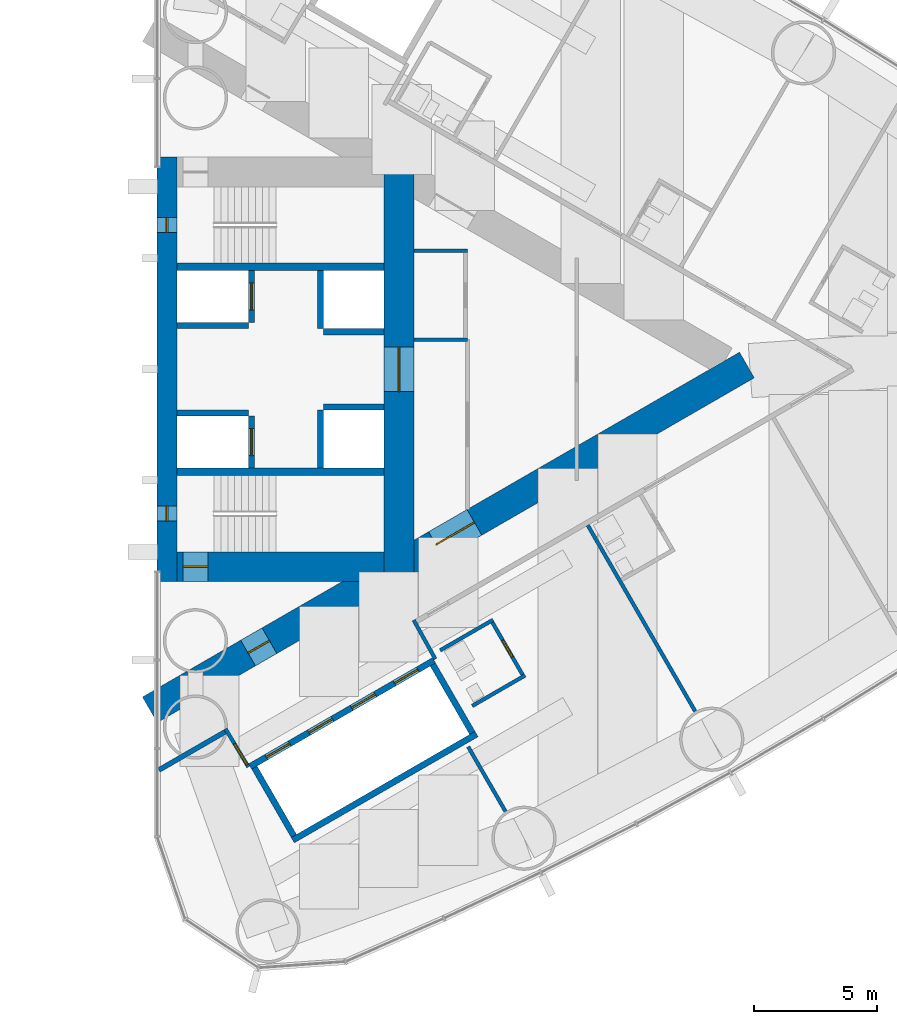
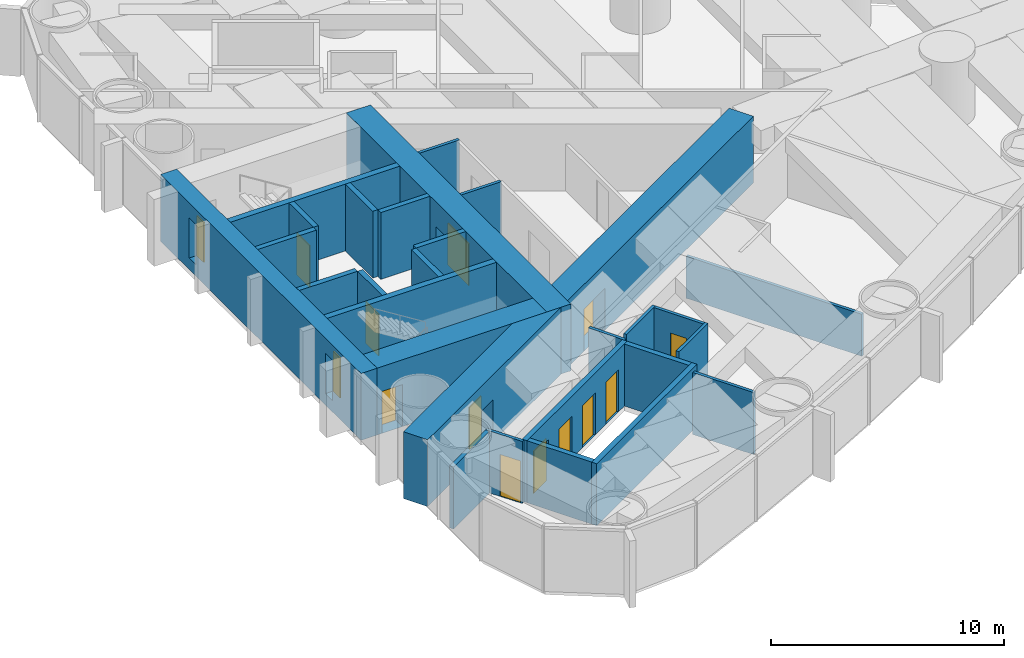
# One storey, part 13 of 18: 28 walls, 12 doors, 2 windows, 14 openings.
"""IFC4 building model written with IfcOpenShell, lengths in metres."""

from ifc_helpers import new_model, si_unit, direction, frame, frame_2d, origin, place, context, subcontext, project, spatial, rectangle, extrude, material, layer, layer_set, type_object, element, fill, save


model = new_model("IFC4")

# Units and contexts
model_context = context("Model", 3, precision=1e-05, world=origin(), true_north=direction((0.0, 1.0)))
body_context = subcontext(model_context, "Body", "Model", "MODEL_VIEW")
ifc_project = project(units=[si_unit("LENGTHUNIT", "METRE"), si_unit("AREAUNIT", "SQUARE_METRE"), si_unit("VOLUMEUNIT", "CUBIC_METRE"), si_unit("PLANEANGLEUNIT", "RADIAN"), si_unit("MASSUNIT", "GRAM", prefix="KILO")], contexts=[model_context])

# Site, building, storey
site_placement = place(None, origin())
site = spatial("IfcSite", under=ifc_project, at=site_placement, CompositionType="ELEMENT")
building_placement = place(site_placement, origin())
building = spatial("IfcBuilding", under=site, at=building_placement, Name="Lancet Gate Hotel", CompositionType="ELEMENT")
storey_placement = place(building_placement, frame((0.0, 0.0, 136.10009765625)))
storey = spatial("IfcBuildingStorey", under=building, at=storey_placement, Name="L36", CompositionType="ELEMENT", Elevation=136.10009765625)

# Wall
ifc_material_1 = material(Name="Moisture resistant board partition")
ifc_layer_1 = layer(ifc_material_1, 0.14990234375)
ifc_layer_set_1 = layer_set([ifc_layer_1], Name="Bathroom wall 150")
wall_type_1 = type_object("IfcWallType", Name="Bathroom wall 150", PredefinedType="PARTITIONING", material=ifc_layer_set_1)
wall_1_placement = place(storey_placement, frame((40.269775390625, -13.644287109375, 0.0), z_axis=(0.0, 0.0, 1.0), x_axis=(0.866031185235, 0.4999899861, 0.0)))
element("IfcWall", 1, at=wall_1_placement, inside=storey, type_object=wall_type_1, Name="T2 bathroom wall 150 L36", PredefinedType="PARTITIONING", context=body_context, shape_type="SweptSolid", body=[
    extrude(rectangle(XDim=2.47509765625, YDim=0.14990234375, at=frame_2d((1.237548828125, 0.0))), origin(), (0.0, 0.0, 1.0), 3.25),
])

# Wall, opening, door
wall_2_placement = place(storey_placement, frame((41.04833984375, -10.192626953125, 0.0), z_axis=(0.0, 0.0, 1.0), x_axis=(0.500047596559, -0.865997922154, 0.0)))
wall_2 = element("IfcWall", 2, at=wall_2_placement, inside=storey, type_object=wall_type_1, Name="T2 bathroom wall 150 L36", PredefinedType="PARTITIONING", context=body_context, shape_type="SweptSolid", body=[
    extrude(rectangle(XDim=2.599853515625, YDim=0.14990234375, at=frame_2d((1.2998046875, 0.0))), origin(), (0.0, 0.0, 1.0), 3.25),
])
opening_1_placement = place(wall_2_placement, frame((0.89990234375, 0.0, 0.0)))
opening_1 = element("IfcOpeningElement", 3, at=opening_1_placement, cuts=wall_2, Name="Opening 3653-B", PredefinedType="OPENING", context=body_context, shape_type="SweptSolid", body=[
    extrude(rectangle(XDim=0.800048828125, YDim=2.199951171875, at=frame_2d((0.39990234375, 1.10009765625))), frame((0.0, 0.0849609375, 0.0), z_axis=(0.0, -1.0, 0.0), x_axis=(1.0, 0.0, 0.0)), (0.0, 0.0, 1.0), 0.169921875),
])
ifc_material_2 = material(Name="Timber door set", Category="wood")
door_type_1 = type_object("IfcDoorType", Name="Bathroom door 800", OperationType="SINGLE_SWING_RIGHT", PredefinedType="DOOR", material=ifc_material_2)
door_1_placement = place(opening_1_placement, origin())
door_1 = element("IfcDoor", 4, at=door_1_placement, inside=storey, type_object=door_type_1, Name="3653-B", OperationType="SINGLE_SWING_RIGHT", OverallHeight=2.199951171875, OverallWidth=0.800048828125, PredefinedType="DOOR", context=body_context, shape_type="SweptSolid", body=[
    extrude(rectangle(XDim=0.800048828125, YDim=2.199951171875, at=frame_2d((0.39990234375, 1.10009765625))), frame((0.0, 0.02490234375, 0.0), z_axis=(0.0, -1.0, 0.0), x_axis=(1.0, 0.0, 0.0)), (0.0, 0.0, 1.0), 0.050048828125),
])
fill(opening_1, door_1)

# Wall
wall_3_placement = place(storey_placement, frame((38.9697265625, -11.392578125, 0.0), z_axis=(0.0, 0.0, 1.0), x_axis=(0.866031185235, 0.4999899861, 0.0)))
element("IfcWall", 5, at=wall_3_placement, inside=storey, type_object=wall_type_1, Name="T2 bathroom wall 150 L36", PredefinedType="PARTITIONING", context=body_context, shape_type="SweptSolid", body=[
    extrude(rectangle(XDim=2.47509765625, YDim=0.14990234375, at=frame_2d((1.237548828125, 0.0))), origin(), (0.0, 0.0, 1.0), 3.25),
])

# Wall, openings, doors
ifc_material_3 = material(Name="Concrete C70/85", Category="concrete")
ifc_layer_2 = layer(ifc_material_3, 1.199951171875)
ifc_layer_set_2 = layer_set([ifc_layer_2], Name="Buttress wall 1200")
wall_type_2 = type_object("IfcWallType", Name="Buttress wall 1200", PredefinedType="SHEAR", material=ifc_layer_set_2)
wall_4_placement = place(storey_placement, frame((27.199951171875, -13.800048828125, 0.0), z_axis=(0.0, 0.0, 1.0), x_axis=(0.866027159892, 0.499996958321, 0.0)))
wall_4 = element("IfcWall", 6, at=wall_4_placement, inside=storey, type_object=wall_type_2, Name="T2 buttress wall S L36", PredefinedType="SHEAR", context=body_context, shape_type="SweptSolid", body=[
    extrude(rectangle(XDim=27.946533203125, YDim=1.199951171875, at=frame_2d((13.97314453125, 0.0))), origin(), (0.0, 0.0, 1.0), 3.5),
])
opening_2_placement = place(wall_4_placement, frame((4.60009765625, 0.0, 0.0)))
opening_2 = element("IfcOpeningElement", 7, at=opening_2_placement, cuts=wall_4, Name="Opening T2-L36-LS", PredefinedType="OPENING", context=body_context, shape_type="SweptSolid", body=[
    extrude(rectangle(XDim=1.0, YDim=2.199951171875, at=frame_2d((0.5, 1.10009765625))), frame((0.0, 0.60986328125, 0.0), z_axis=(0.0, -1.0, 0.0), x_axis=(1.0, 0.0, 0.0)), (0.0, 0.0, 1.0), 1.219970703125),
])
opening_3_placement = place(wall_4_placement, frame((13.39453125, 0.0, 0.0)))
opening_3 = element("IfcOpeningElement", 8, at=opening_3_placement, cuts=wall_4, Name="Opening T2-L36-LHS", PredefinedType="OPENING", context=body_context, shape_type="SweptSolid", body=[
    extrude(rectangle(XDim=1.800048828125, YDim=2.199951171875, at=frame_2d((0.89990234375, 1.10009765625))), frame((0.0, 0.60986328125, 0.0), z_axis=(0.0, -1.0, 0.0), x_axis=(1.0, 0.0, 0.0)), (0.0, 0.0, 1.0), 1.219970703125),
])
ifc_material_4 = material(Name="Timber door set", Category="wood")
door_type_2 = type_object("IfcDoorType", Name="Lobby double door 1800", OperationType="DOUBLE_DOOR_SINGLE_SWING", PredefinedType="DOOR", material=ifc_material_4)
door_2_placement = place(opening_3_placement, origin())
door_2 = element("IfcDoor", 9, at=door_2_placement, inside=storey, type_object=door_type_2, Name="T2-L36-LHS", OperationType="DOUBLE_DOOR_SINGLE_SWING", OverallHeight=2.199951171875, OverallWidth=1.800048828125, PredefinedType="DOOR", context=body_context, shape_type="SweptSolid", body=[
    extrude(rectangle(XDim=1.800048828125, YDim=2.199951171875, at=frame_2d((0.89990234375, 1.10009765625))), frame((0.0, 0.02490234375, 0.0), z_axis=(0.0, -1.0, 0.0), x_axis=(1.0, 0.0, 0.0)), (0.0, 0.0, 1.0), 0.050048828125),
])
fill(opening_3, door_2)
ifc_material_5 = material(Name="Timber door set", Category="wood")
door_type_3 = type_object("IfcDoorType", Name="Stair lobby door 1000", OperationType="SINGLE_SWING_LEFT", PredefinedType="DOOR", material=ifc_material_5)
door_3_placement = place(opening_2_placement, origin())
door_3 = element("IfcDoor", 10, at=door_3_placement, inside=storey, type_object=door_type_3, Name="T2-L36-LS", OperationType="SINGLE_SWING_LEFT", OverallHeight=2.199951171875, OverallWidth=1.0, PredefinedType="DOOR", context=body_context, shape_type="SweptSolid", body=[
    extrude(rectangle(XDim=1.0, YDim=2.199951171875, at=frame_2d((0.5, 1.10009765625))), frame((0.0, 0.02490234375, 0.0), z_axis=(0.0, -1.0, 0.0), x_axis=(1.0, 0.0, 0.0)), (0.0, 0.0, 1.0), 0.050048828125),
])
fill(opening_2, door_3)

# Wall, opening, door
ifc_material_6 = material(Name="Concrete C70/85", Category="concrete")
ifc_layer_3 = layer(ifc_material_6, 1.199951171875)
ifc_layer_set_3 = layer_set([ifc_layer_3], Name="Core wall 1200")
wall_type_3 = type_object("IfcWallType", Name="Core wall 1200", PredefinedType="SHEAR", material=ifc_layer_set_3)
wall_5_placement = place(storey_placement, frame((37.300048828125, -8.60009765625, 0.0), z_axis=(0.0, 0.0, 1.0), x_axis=(0.0, 1.0, 0.0)))
wall_5 = element("IfcWall", 11, at=wall_5_placement, inside=storey, type_object=wall_type_3, Name="T2 core wall back L36", PredefinedType="SHEAR", context=body_context, shape_type="SweptSolid", body=[
    extrude(rectangle(XDim=17.2001953125, YDim=1.199951171875, at=frame_2d((8.60009765625, 0.0))), origin(), (0.0, 0.0, 1.0), 3.5),
])
opening_4_placement = place(wall_5_placement, frame((7.699951171875, 0.0, 0.0)))
opening_4 = element("IfcOpeningElement", 12, at=opening_4_placement, cuts=wall_5, Name="Opening T2-L36-LL", PredefinedType="OPENING", context=body_context, shape_type="SweptSolid", body=[
    extrude(rectangle(XDim=1.800048828125, YDim=2.199951171875, at=frame_2d((0.89990234375, 1.10009765625))), frame((0.0, 0.60986328125, 0.0), z_axis=(0.0, -1.0, 0.0), x_axis=(1.0, 0.0, 0.0)), (0.0, 0.0, 1.0), 1.219970703125),
])
door_4_placement = place(opening_4_placement, origin())
door_4 = element("IfcDoor", 13, at=door_4_placement, inside=storey, type_object=door_type_2, Name="T2-L36-LL", OperationType="DOUBLE_DOOR_SINGLE_SWING", OverallHeight=2.199951171875, OverallWidth=1.800048828125, PredefinedType="DOOR", context=body_context, shape_type="SweptSolid", body=[
    extrude(rectangle(XDim=1.800048828125, YDim=2.199951171875, at=frame_2d((0.89990234375, 1.10009765625))), frame((0.0, 0.02490234375, 0.0), z_axis=(0.0, -1.0, 0.0), x_axis=(1.0, 0.0, 0.0)), (0.0, 0.0, 1.0), 0.050048828125),
])
fill(opening_4, door_4)

wall_6_placement = place(storey_placement, frame((28.300048828125, -8.0, 0.0), z_axis=(0.0, 0.0, 1.0), x_axis=(1.0, 0.0, 0.0)))
wall_6 = element("IfcWall", 14, at=wall_6_placement, inside=storey, type_object=wall_type_3, Name="T2 core wall side-S L36", PredefinedType="SHEAR", context=body_context, shape_type="SweptSolid", body=[
    extrude(rectangle(XDim=8.39990234375, YDim=1.199951171875, at=frame_2d((4.199951171875, 0.0))), origin(), (0.0, 0.0, 1.0), 3.5),
])
opening_5_placement = place(wall_6_placement, frame((0.25, 0.0, 0.0)))
opening_5 = element("IfcOpeningElement", 15, at=opening_5_placement, cuts=wall_6, Name="Opening T2-L36-ST1", PredefinedType="OPENING", context=body_context, shape_type="SweptSolid", body=[
    extrude(rectangle(XDim=1.0, YDim=2.199951171875, at=frame_2d((0.5, 1.10009765625))), frame((0.0, 0.60986328125, 0.0), z_axis=(0.0, -1.0, 0.0), x_axis=(1.0, 0.0, 0.0)), (0.0, 0.0, 1.0), 1.219970703125),
])
ifc_material_7 = material(Name="Timber door set", Category="wood")
door_type_4 = type_object("IfcDoorType", Name="Stair door 1000", OperationType="SINGLE_SWING_RIGHT", PredefinedType="DOOR", material=ifc_material_7)
door_5_placement = place(opening_5_placement, origin())
door_5 = element("IfcDoor", 16, at=door_5_placement, inside=storey, type_object=door_type_4, Name="T2-L36-ST1", OperationType="SINGLE_SWING_RIGHT", OverallHeight=2.199951171875, OverallWidth=1.0, PredefinedType="DOOR", context=body_context, shape_type="SweptSolid", body=[
    extrude(rectangle(XDim=1.0, YDim=2.199951171875, at=frame_2d((0.5, 1.10009765625))), frame((0.0, 0.02490234375, 0.0), z_axis=(0.0, -1.0, 0.0), x_axis=(1.0, 0.0, 0.0)), (0.0, 0.0, 1.0), 0.050048828125),
])
fill(opening_5, door_5)

# Wall, openings, windows
ifc_material_8 = material(Name="Concrete C70/85", Category="concrete")
ifc_layer_4 = layer(ifc_material_8, 0.800048828125)
ifc_layer_set_4 = layer_set([ifc_layer_4], Name="Core wall 800")
wall_type_4 = type_object("IfcWallType", Name="Core wall 800", PredefinedType="SHEAR", material=ifc_layer_set_4)
wall_7_placement = place(storey_placement, frame((27.89990234375, -8.60009765625, 0.0), z_axis=(0.0, 0.0, 1.0), x_axis=(0.0, 1.0, 0.0)))
wall_7 = element("IfcWall", 17, at=wall_7_placement, inside=storey, type_object=wall_type_4, Name="T2 core wall front L36", PredefinedType="SHEAR", context=body_context, shape_type="SweptSolid", body=[
    extrude(rectangle(XDim=17.2001953125, YDim=0.800048828125, at=frame_2d((8.60009765625, 0.0))), origin(), (0.0, 0.0, 1.0), 3.5),
])
opening_6_placement = place(wall_7_placement, frame((2.449951171875, 0.0, 0.60009765625)))
opening_6 = element("IfcOpeningElement", 18, at=opening_6_placement, cuts=wall_7, Name="Opening LW1", PredefinedType="OPENING", context=body_context, shape_type="SweptSolid", body=[
    extrude(rectangle(XDim=0.60009765625, YDim=2.10009765625, at=frame_2d((0.300048828125, 1.050048828125))), frame((0.0, 0.409912109375, 0.0), z_axis=(0.0, -1.0, 0.0), x_axis=(1.0, 0.0, 0.0)), (0.0, 0.0, 1.0), 0.820068359375),
])
opening_7_placement = place(wall_7_placement, frame((14.14990234375, 0.0, 0.60009765625)))
opening_7 = element("IfcOpeningElement", 19, at=opening_7_placement, cuts=wall_7, Name="Opening LW1", PredefinedType="OPENING", context=body_context, shape_type="SweptSolid", body=[
    extrude(rectangle(XDim=0.60009765625, YDim=2.10009765625, at=frame_2d((0.300048828125, 1.050048828125))), frame((0.0, 0.409912109375, 0.0), z_axis=(0.0, -1.0, 0.0), x_axis=(1.0, 0.0, 0.0)), (0.0, 0.0, 1.0), 0.820068359375),
])
ifc_material_9 = material(Name="Fire-resisting glazed steel window", Category="steel")
window_type = type_object("IfcWindowType", Name="Lancet window 600x2100", PartitioningType="SINGLE_PANEL", PredefinedType="WINDOW", material=ifc_material_9)
window_1_placement = place(opening_6_placement, origin())
window_1 = element("IfcWindow", 20, at=window_1_placement, inside=storey, type_object=window_type, Name="T2 stair window S L36", OverallHeight=2.10009765625, OverallWidth=0.60009765625, PartitioningType="SINGLE_PANEL", PredefinedType="WINDOW", context=body_context, shape_type="SweptSolid", body=[
    extrude(rectangle(XDim=0.60009765625, YDim=2.10009765625, at=frame_2d((0.300048828125, 1.050048828125))), frame((0.0, 0.030029296875, 0.0), z_axis=(0.0, -1.0, 0.0), x_axis=(1.0, 0.0, 0.0)), (0.0, 0.0, 1.0), 0.06005859375),
])
fill(opening_6, window_1)
window_2_placement = place(opening_7_placement, origin())
window_2 = element("IfcWindow", 21, at=window_2_placement, inside=storey, type_object=window_type, Name="T2 stair window N L36", OverallHeight=2.10009765625, OverallWidth=0.60009765625, PartitioningType="SINGLE_PANEL", PredefinedType="WINDOW", context=body_context, shape_type="SweptSolid", body=[
    extrude(rectangle(XDim=0.60009765625, YDim=2.10009765625, at=frame_2d((0.300048828125, 1.050048828125))), frame((0.0, 0.030029296875, 0.0), z_axis=(0.0, -1.0, 0.0), x_axis=(1.0, 0.0, 0.0)), (0.0, 0.0, 1.0), 0.06005859375),
])
fill(opening_7, window_2)

# Wall
ifc_material_10 = material(Name="Gypsum board partition")
ifc_layer_5 = layer(ifc_material_10, 0.199951171875)
ifc_layer_set_5 = layer_set([ifc_layer_5], Name="Corridor wall 200")
wall_type_5 = type_object("IfcWallType", Name="Corridor wall 200", PredefinedType="PARTITIONING", material=ifc_layer_set_5)
wall_8_placement = place(storey_placement, frame((27.572021484375, -16.240966796875, 0.0), z_axis=(0.0, 0.0, 1.0), x_axis=(0.866029654818, 0.499992636921, 0.0)))
element("IfcWall", 22, at=wall_8_placement, inside=storey, type_object=wall_type_5, Name="T2 corridor wall 200 L36", PredefinedType="PARTITIONING", context=body_context, shape_type="SweptSolid", body=[
    extrude(rectangle(XDim=3.15478515625, YDim=0.199951171875, at=frame_2d((1.577392578125, 0.0))), origin(), (0.0, 0.0, 1.0), 3.25),
])

# Wall, openings, doors
ifc_material_11 = material(Name="Gypsum board partition")
ifc_layer_6 = layer(ifc_material_11, 0.25)
ifc_layer_set_6 = layer_set([ifc_layer_6], Name="Lift shaft partition 250")
wall_type_6 = type_object("IfcWallType", Name="Lift shaft partition 250", PredefinedType="PARTITIONING", material=ifc_layer_set_6)
wall_9_placement = place(storey_placement, frame((31.2705078125, -16.09716796875, 0.0), z_axis=(0.0, 0.0, 1.0), x_axis=(0.86604045752, 0.499973925258, 0.0)))
wall_9 = element("IfcWall", 23, at=wall_9_placement, inside=storey, type_object=wall_type_6, Name="T2 lift shaft wall LR L36", PredefinedType="PARTITIONING", context=body_context, shape_type="SweptSolid", body=[
    extrude(rectangle(XDim=8.60009765625, YDim=0.25, at=frame_2d((4.300048828125, 0.0))), origin(), (0.0, 0.0, 1.0), 3.25),
])
opening_8_placement = place(wall_9_placement, frame((0.75, 0.0, 0.0)))
opening_8 = element("IfcOpeningElement", 24, at=opening_8_placement, cuts=wall_9, Name="Opening T2-LR1-L36", PredefinedType="OPENING", context=body_context, shape_type="SweptSolid", body=[
    extrude(rectangle(XDim=1.10009765625, YDim=2.199951171875, at=frame_2d((0.550048828125, 1.10009765625))), frame((0.0, 0.135009765625, 0.0), z_axis=(0.0, -1.0, 0.0), x_axis=(1.0, 0.0, 0.0)), (0.0, 0.0, 1.0), 0.27001953125),
])
opening_9_placement = place(wall_9_placement, frame((2.75, 0.0, 0.0)))
opening_9 = element("IfcOpeningElement", 25, at=opening_9_placement, cuts=wall_9, Name="Opening T2-LR2-L36", PredefinedType="OPENING", context=body_context, shape_type="SweptSolid", body=[
    extrude(rectangle(XDim=1.10009765625, YDim=2.199951171875, at=frame_2d((0.550048828125, 1.10009765625))), frame((0.0, 0.135009765625, 0.0), z_axis=(0.0, -1.0, 0.0), x_axis=(1.0, 0.0, 0.0)), (0.0, 0.0, 1.0), 0.27001953125),
])
opening_10_placement = place(wall_9_placement, frame((4.75, 0.0, 0.0)))
opening_10 = element("IfcOpeningElement", 26, at=opening_10_placement, cuts=wall_9, Name="Opening T2-LR3-L36", PredefinedType="OPENING", context=body_context, shape_type="SweptSolid", body=[
    extrude(rectangle(XDim=1.10009765625, YDim=2.199951171875, at=frame_2d((0.550048828125, 1.10009765625))), frame((0.0, 0.135009765625, 0.0), z_axis=(0.0, -1.0, 0.0), x_axis=(1.0, 0.0, 0.0)), (0.0, 0.0, 1.0), 0.27001953125),
])
opening_11_placement = place(wall_9_placement, frame((6.75, 0.0, 0.0)))
opening_11 = element("IfcOpeningElement", 27, at=opening_11_placement, cuts=wall_9, Name="Opening T2-LR4-L36", PredefinedType="OPENING", context=body_context, shape_type="SweptSolid", body=[
    extrude(rectangle(XDim=1.10009765625, YDim=2.199951171875, at=frame_2d((0.550048828125, 1.10009765625))), frame((0.0, 0.135009765625, 0.0), z_axis=(0.0, -1.0, 0.0), x_axis=(1.0, 0.0, 0.0)), (0.0, 0.0, 1.0), 0.27001953125),
])
ifc_material_12 = material(Name="Steel door set", Category="steel")
door_type_5 = type_object("IfcDoorType", Name="Lift landing door 1100", OperationType="DOUBLE_DOOR_SLIDING", PredefinedType="USERDEFINED", material=ifc_material_12)
door_6_placement = place(opening_8_placement, origin())
door_6 = element("IfcDoor", 28, at=door_6_placement, inside=storey, type_object=door_type_5, Name="T2-LR1-L36", ObjectType="LIFT LANDING DOOR", OperationType="DOUBLE_DOOR_SLIDING", OverallHeight=2.199951171875, OverallWidth=1.10009765625, PredefinedType="USERDEFINED", context=body_context, shape_type="SweptSolid", body=[
    extrude(rectangle(XDim=1.10009765625, YDim=2.199951171875, at=frame_2d((0.550048828125, 1.10009765625))), frame((0.0, 0.02490234375, 0.0), z_axis=(0.0, -1.0, 0.0), x_axis=(1.0, 0.0, 0.0)), (0.0, 0.0, 1.0), 0.050048828125),
])
fill(opening_8, door_6)
door_7_placement = place(opening_9_placement, origin())
door_7 = element("IfcDoor", 29, at=door_7_placement, inside=storey, type_object=door_type_5, Name="T2-LR2-L36", ObjectType="LIFT LANDING DOOR", OperationType="DOUBLE_DOOR_SLIDING", OverallHeight=2.199951171875, OverallWidth=1.10009765625, PredefinedType="USERDEFINED", context=body_context, shape_type="SweptSolid", body=[
    extrude(rectangle(XDim=1.10009765625, YDim=2.199951171875, at=frame_2d((0.550048828125, 1.10009765625))), frame((0.0, 0.02490234375, 0.0), z_axis=(0.0, -1.0, 0.0), x_axis=(1.0, 0.0, 0.0)), (0.0, 0.0, 1.0), 0.050048828125),
])
fill(opening_9, door_7)
door_8_placement = place(opening_10_placement, origin())
door_8 = element("IfcDoor", 30, at=door_8_placement, inside=storey, type_object=door_type_5, Name="T2-LR3-L36", ObjectType="LIFT LANDING DOOR", OperationType="DOUBLE_DOOR_SLIDING", OverallHeight=2.199951171875, OverallWidth=1.10009765625, PredefinedType="USERDEFINED", context=body_context, shape_type="SweptSolid", body=[
    extrude(rectangle(XDim=1.10009765625, YDim=2.199951171875, at=frame_2d((0.550048828125, 1.10009765625))), frame((0.0, 0.02490234375, 0.0), z_axis=(0.0, -1.0, 0.0), x_axis=(1.0, 0.0, 0.0)), (0.0, 0.0, 1.0), 0.050048828125),
])
fill(opening_10, door_8)
door_9_placement = place(opening_11_placement, origin())
door_9 = element("IfcDoor", 31, at=door_9_placement, inside=storey, type_object=door_type_5, Name="T2-LR4-L36", ObjectType="LIFT LANDING DOOR", OperationType="DOUBLE_DOOR_SLIDING", OverallHeight=2.199951171875, OverallWidth=1.10009765625, PredefinedType="USERDEFINED", context=body_context, shape_type="SweptSolid", body=[
    extrude(rectangle(XDim=1.10009765625, YDim=2.199951171875, at=frame_2d((0.550048828125, 1.10009765625))), frame((0.0, 0.02490234375, 0.0), z_axis=(0.0, -1.0, 0.0), x_axis=(1.0, 0.0, 0.0)), (0.0, 0.0, 1.0), 0.050048828125),
])
fill(opening_11, door_9)

# Walls
wall_10_placement = place(storey_placement, frame((32.99560546875, -19.085693359375, 0.0), z_axis=(0.0, 0.0, 1.0), x_axis=(0.866028165386, 0.499995216735, 0.0)))
element("IfcWall", 32, at=wall_10_placement, inside=storey, type_object=wall_type_6, Name="T2 lift shaft wall LR L36", PredefinedType="PARTITIONING", context=body_context, shape_type="SweptSolid", body=[
    extrude(rectangle(XDim=8.60009765625, YDim=0.25, at=frame_2d((4.300048828125, 0.0))), origin(), (0.0, 0.0, 1.0), 3.25),
])
for number, where, z_axis, x_axis, name in (
    (33, (31.441162109375, -16.14306640625, 0.0), (0.0, 0.0, 1.0), (0.499929347863, -0.866066190972, 0.0), "T2 lift shaft wall LR L36"),
    (34, (38.672607421875, -11.968017578125, 0.0), (0.0, 0.0, 1.0), (0.499929347863, -0.866066190972, 0.0), "T2 lift shaft wall LR L36"),
):
    element("IfcWall", number, at=place(storey_placement, frame(where, z_axis=z_axis, x_axis=x_axis)), inside=storey, type_object=wall_type_6, Name=name, PredefinedType="PARTITIONING", context=body_context, shape_type="SweptSolid", body=[
        extrude(rectangle(XDim=3.20068359375, YDim=0.25, at=frame_2d((1.600341796875, 0.0))), origin(), (0.0, 0.0, 1.0), 3.25),
    ])

# Wall, opening, door
ifc_material_13 = material(Name="Concrete C50/60", Category="concrete")
ifc_layer_7 = layer(ifc_material_13, 0.25)
ifc_layer_set_7 = layer_set([ifc_layer_7], Name="Lift shaft wall 250")
wall_type_7 = type_object("IfcWallType", Name="Lift shaft wall 250", PredefinedType="SHEAR", material=ifc_layer_set_7)
wall_11_placement = place(storey_placement, frame((31.324951171875, -4.0, 0.0), z_axis=(0.0, 0.0, 1.0), x_axis=(0.0, 1.0, 0.0)))
wall_11 = element("IfcWall", 35, at=wall_11_placement, inside=storey, type_object=wall_type_7, Name="T2 core wall row1-S L36", PredefinedType="SHEAR", context=body_context, shape_type="SweptSolid", body=[
    extrude(rectangle(XDim=2.10009765625, YDim=0.25, at=frame_2d((1.050048828125, 0.0))), origin(), (0.0, 0.0, 1.0), 3.5),
])
opening_12_placement = place(wall_11_placement, frame((0.5, 0.0, 0.0)))
opening_12 = element("IfcOpeningElement", 36, at=opening_12_placement, cuts=wall_11, Name="Opening T2-SL1-L36", PredefinedType="OPENING", context=body_context, shape_type="SweptSolid", body=[
    extrude(rectangle(XDim=1.10009765625, YDim=2.199951171875, at=frame_2d((0.550048828125, 1.10009765625))), frame((0.0, 0.135009765625, 0.0), z_axis=(0.0, -1.0, 0.0), x_axis=(1.0, 0.0, 0.0)), (0.0, 0.0, 1.0), 0.27001953125),
])
ifc_material_14 = material(Name="Timber door set", Category="wood")
door_type_6 = type_object("IfcDoorType", Name="Service lift landing door 1100", OperationType="SLIDING_TO_LEFT", PredefinedType="USERDEFINED", material=ifc_material_14)
door_10_placement = place(opening_12_placement, origin())
door_10 = element("IfcDoor", 37, at=door_10_placement, inside=storey, type_object=door_type_6, Name="T2-SL1-L36", ObjectType="LIFT LANDING DOOR", OperationType="SLIDING_TO_LEFT", OverallHeight=2.199951171875, OverallWidth=1.10009765625, PredefinedType="USERDEFINED", context=body_context, shape_type="SweptSolid", body=[
    extrude(rectangle(XDim=1.10009765625, YDim=2.199951171875, at=frame_2d((0.550048828125, 1.10009765625))), frame((0.0, 0.02490234375, 0.0), z_axis=(0.0, -1.0, 0.0), x_axis=(1.0, 0.0, 0.0)), (0.0, 0.0, 1.0), 0.050048828125),
])
fill(opening_12, door_10)

# Walls
wall_12_placement = place(storey_placement, frame((34.125, -4.0, 0.0), z_axis=(0.0, 0.0, 1.0), x_axis=(0.0, 1.0, 0.0)))
element("IfcWall", 38, at=wall_12_placement, inside=storey, type_object=wall_type_7, Name="T2 core wall row2-S L36", PredefinedType="SHEAR", context=body_context, shape_type="SweptSolid", body=[
    extrude(rectangle(XDim=2.35009765625, YDim=0.25, at=frame_2d((1.175048828125, 0.0))), origin(), (0.0, 0.0, 1.0), 3.5),
])
wall_13_placement = place(storey_placement, frame((28.300048828125, -1.77490234375, 0.0), z_axis=(0.0, 0.0, 1.0), x_axis=(1.0, 0.0, 0.0)))
element("IfcWall", 39, at=wall_13_placement, inside=storey, type_object=wall_type_7, Name="T2 core wall pass1-S L36", PredefinedType="SHEAR", context=body_context, shape_type="SweptSolid", body=[
    extrude(rectangle(XDim=2.89990234375, YDim=0.25, at=frame_2d((1.449951171875, 0.0))), origin(), (0.0, 0.0, 1.0), 3.5),
])
wall_14_placement = place(storey_placement, frame((34.25, -1.52490234375, 0.0), z_axis=(0.0, 0.0, 1.0), x_axis=(1.0, 0.0, 0.0)))
element("IfcWall", 40, at=wall_14_placement, inside=storey, type_object=wall_type_7, Name="T2 core wall pass2-S L36", PredefinedType="SHEAR", context=body_context, shape_type="SweptSolid", body=[
    extrude(rectangle(XDim=2.449951171875, YDim=0.25, at=frame_2d((1.22509765625, 0.0))), origin(), (0.0, 0.0, 1.0), 3.5),
])

# Wall, opening, door
wall_15_placement = place(storey_placement, frame((31.324951171875, 1.89990234375, 0.0), z_axis=(0.0, 0.0, 1.0), x_axis=(0.0, 1.0, 0.0)))
wall_15 = element("IfcWall", 41, at=wall_15_placement, inside=storey, type_object=wall_type_7, Name="T2 core wall row1-N L36", PredefinedType="SHEAR", context=body_context, shape_type="SweptSolid", body=[
    extrude(rectangle(XDim=2.10009765625, YDim=0.25, at=frame_2d((1.050048828125, 0.0))), origin(), (0.0, 0.0, 1.0), 3.5),
])
opening_13_placement = place(wall_15_placement, frame((0.5, 0.0, 0.0)))
opening_13 = element("IfcOpeningElement", 42, at=opening_13_placement, cuts=wall_15, Name="Opening T2-FL2-L36", PredefinedType="OPENING", context=body_context, shape_type="SweptSolid", body=[
    extrude(rectangle(XDim=1.10009765625, YDim=2.199951171875, at=frame_2d((0.550048828125, 1.10009765625))), frame((0.0, 0.135009765625, 0.0), z_axis=(0.0, -1.0, 0.0), x_axis=(1.0, 0.0, 0.0)), (0.0, 0.0, 1.0), 0.27001953125),
])
ifc_material_15 = material(Name="Steel door set", Category="steel")
door_type_7 = type_object("IfcDoorType", Name="Firefighting lift landing door 1100", OperationType="SLIDING_TO_LEFT", PredefinedType="USERDEFINED", material=ifc_material_15)
door_11_placement = place(opening_13_placement, origin())
door_11 = element("IfcDoor", 43, at=door_11_placement, inside=storey, type_object=door_type_7, Name="T2-FL2-L36", ObjectType="LIFT LANDING DOOR", OperationType="SLIDING_TO_LEFT", OverallHeight=2.199951171875, OverallWidth=1.10009765625, PredefinedType="USERDEFINED", context=body_context, shape_type="SweptSolid", body=[
    extrude(rectangle(XDim=1.10009765625, YDim=2.199951171875, at=frame_2d((0.550048828125, 1.10009765625))), frame((0.0, 0.02490234375, 0.0), z_axis=(0.0, -1.0, 0.0), x_axis=(1.0, 0.0, 0.0)), (0.0, 0.0, 1.0), 0.050048828125),
])
fill(opening_13, door_11)

# Walls
wall_16_placement = place(storey_placement, frame((34.125, 1.64990234375, 0.0), z_axis=(0.0, 0.0, 1.0), x_axis=(0.0, 1.0, 0.0)))
element("IfcWall", 44, at=wall_16_placement, inside=storey, type_object=wall_type_7, Name="T2 core wall row2-N L36", PredefinedType="SHEAR", context=body_context, shape_type="SweptSolid", body=[
    extrude(rectangle(XDim=2.35009765625, YDim=0.25, at=frame_2d((1.175048828125, 0.0))), origin(), (0.0, 0.0, 1.0), 3.5),
])
wall_17_placement = place(storey_placement, frame((28.300048828125, 1.77490234375, 0.0), z_axis=(0.0, 0.0, 1.0), x_axis=(1.0, 0.0, 0.0)))
element("IfcWall", 45, at=wall_17_placement, inside=storey, type_object=wall_type_7, Name="T2 core wall pass1-N L36", PredefinedType="SHEAR", context=body_context, shape_type="SweptSolid", body=[
    extrude(rectangle(XDim=2.89990234375, YDim=0.25, at=frame_2d((1.449951171875, 0.0))), origin(), (0.0, 0.0, 1.0), 3.5),
])
wall_18_placement = place(storey_placement, frame((34.25, 1.52490234375, 0.0), z_axis=(0.0, 0.0, 1.0), x_axis=(1.0, 0.0, 0.0)))
element("IfcWall", 46, at=wall_18_placement, inside=storey, type_object=wall_type_7, Name="T2 core wall pass2-N L36", PredefinedType="SHEAR", context=body_context, shape_type="SweptSolid", body=[
    extrude(rectangle(XDim=2.449951171875, YDim=0.25, at=frame_2d((1.22509765625, 0.0))), origin(), (0.0, 0.0, 1.0), 3.5),
])
ifc_material_16 = material(Name="Gypsum board partition")
ifc_layer_8 = layer(ifc_material_16, 0.14990234375)
ifc_layer_set_8 = layer_set([ifc_layer_8], Name="Party wall 150")
wall_type_8 = type_object("IfcWallType", Name="Party wall 150", PredefinedType="PARTITIONING", material=ifc_layer_set_8)
wall_19_placement = place(storey_placement, frame((44.95361328125, -6.3212890625, 0.0), z_axis=(0.0, 0.0, 1.0), x_axis=(0.500018676722, -0.866014620505, 0.0)))
element("IfcWall", 47, at=wall_19_placement, inside=storey, type_object=wall_type_8, Name="T2 party wall 150 L36", PredefinedType="PARTITIONING", context=body_context, shape_type="SweptSolid", body=[
    extrude(rectangle(XDim=8.703857421875, YDim=0.14990234375, at=frame_2d((4.35205078125, 0.0))), origin(), (0.0, 0.0, 1.0), 2.199951171875),
])
wall_20_placement = place(storey_placement, frame((40.10546875, -15.298583984375, 0.0), z_axis=(0.0, 0.0, 1.0), x_axis=(0.499978822259, -0.866037630414, 0.0)))
element("IfcWall", 48, at=wall_20_placement, inside=storey, type_object=wall_type_8, Name="T2 party wall 150 L36", PredefinedType="PARTITIONING", context=body_context, shape_type="SweptSolid", body=[
    extrude(rectangle(XDim=3.022705078125, YDim=0.14990234375, at=frame_2d((1.51123046875, 0.0))), origin(), (0.0, 0.0, 1.0), 3.25),
])
ifc_material_17 = material(Name="Gypsum board partition")
ifc_layer_9 = layer(ifc_material_17, 0.14990234375)
ifc_layer_set_9 = layer_set([ifc_layer_9], Name="Service room wall 150")
wall_type_9 = type_object("IfcWallType", Name="Service room wall 150", PredefinedType="PARTITIONING", material=ifc_layer_set_9)
wall_21_placement = place(storey_placement, frame((38.7734375, -11.742431640625, 0.0), z_axis=(0.0, 0.0, 1.0), x_axis=(-0.485528096672, 0.8742210632, 0.0)))
element("IfcWall", 49, at=wall_21_placement, inside=storey, type_object=wall_type_9, Name="T2 service room wall 150 L36", PredefinedType="PARTITIONING", context=body_context, shape_type="SweptSolid", body=[
    extrude(rectangle(XDim=1.80517578125, YDim=0.14990234375, at=frame_2d((0.902587890625, 0.0))), origin(), (0.0, 0.0, 1.0), 3.25),
])

# Wall, opening, door
wall_22_placement = place(storey_placement, frame((30.26708984375, -14.5693359375, 0.0), z_axis=(0.0, 0.0, 1.0), x_axis=(0.514336634837, -0.857588377991, 0.0)))
wall_22 = element("IfcWall", 50, at=wall_22_placement, inside=storey, type_object=wall_type_9, Name="T2 service room wall 150 L36", PredefinedType="PARTITIONING", context=body_context, shape_type="SweptSolid", body=[
    extrude(rectangle(XDim=1.80517578125, YDim=0.14990234375, at=frame_2d((0.902587890625, 0.0))), origin(), (0.0, 0.0, 1.0), 3.25),
])
opening_14_placement = place(wall_22_placement, frame((0.702880859375, 0.0, 0.0)))
opening_14 = element("IfcOpeningElement", 51, at=opening_14_placement, cuts=wall_22, Name="Opening T2-L36-LO1", PredefinedType="OPENING", context=body_context, shape_type="SweptSolid", body=[
    extrude(rectangle(XDim=1.0, YDim=2.199951171875, at=frame_2d((0.5, 1.10009765625))), frame((0.0, 0.0849609375, 0.0), z_axis=(0.0, -1.0, 0.0), x_axis=(1.0, 0.0, 0.0)), (0.0, 0.0, 1.0), 0.169921875),
])
ifc_material_18 = material(Name="Timber door set", Category="wood")
door_type_8 = type_object("IfcDoorType", Name="Service door 1000", OperationType="SINGLE_SWING_LEFT", PredefinedType="DOOR", material=ifc_material_18)
door_12_placement = place(opening_14_placement, origin())
door_12 = element("IfcDoor", 52, at=door_12_placement, inside=storey, type_object=door_type_8, Name="T2-L36-LO1", OperationType="SINGLE_SWING_LEFT", OverallHeight=2.199951171875, OverallWidth=1.0, PredefinedType="DOOR", context=body_context, shape_type="SweptSolid", body=[
    extrude(rectangle(XDim=1.0, YDim=2.199951171875, at=frame_2d((0.5, 1.10009765625))), frame((0.0, 0.02490234375, 0.0), z_axis=(0.0, -1.0, 0.0), x_axis=(1.0, 0.0, 0.0)), (0.0, 0.0, 1.0), 0.050048828125),
])
fill(opening_14, door_12)

# Walls
for number, where, z_axis, x_axis, name in (
    (53, (37.89990234375, 1.199951171875, 0.0), (0.0, 0.0, 1.0), (1.0, 0.0, 0.0), "T2 service room wall 150 L36"),
    (54, (37.89990234375, 4.800048828125, 0.0), (0.0, 0.0, 1.0), (1.0, 0.0, 0.0), "T2 service room wall 150 L36"),
):
    element("IfcWall", number, at=place(storey_placement, frame(where, z_axis=z_axis, x_axis=x_axis)), inside=storey, type_object=wall_type_9, Name=name, PredefinedType="PARTITIONING", context=body_context, shape_type="SweptSolid", body=[
        extrude(rectangle(XDim=2.175048828125, YDim=0.14990234375, at=frame_2d((1.08740234375, 0.0))), origin(), (0.0, 0.0, 1.0), 3.25),
    ])
ifc_material_19 = material(Name="Concrete C50/60", Category="concrete")
ifc_layer_10 = layer(ifc_material_19, 0.300048828125)
ifc_layer_set_10 = layer_set([ifc_layer_10], Name="Stair enclosure wall 300")
wall_type_10 = type_object("IfcWallType", Name="Stair enclosure wall 300", PredefinedType="SHEAR", material=ifc_layer_set_10)
for number, where, z_axis, x_axis, name in (
    (55, (28.300048828125, -4.14990234375, 0.0), (0.0, 0.0, 1.0), (1.0, 0.0, 0.0), "T2 core wall stair-S L36"),
    (56, (28.300048828125, 4.14990234375, 0.0), (0.0, 0.0, 1.0), (1.0, 0.0, 0.0), "T2 core wall stair-N L36"),
):
    element("IfcWall", number, at=place(storey_placement, frame(where, z_axis=z_axis, x_axis=x_axis)), inside=storey, type_object=wall_type_10, Name=name, PredefinedType="SHEAR", context=body_context, shape_type="SweptSolid", body=[
        extrude(rectangle(XDim=8.39990234375, YDim=0.300048828125, at=frame_2d((4.199951171875, 0.0))), origin(), (0.0, 0.0, 1.0), 3.5),
    ])

save(model, "model.ifc")
